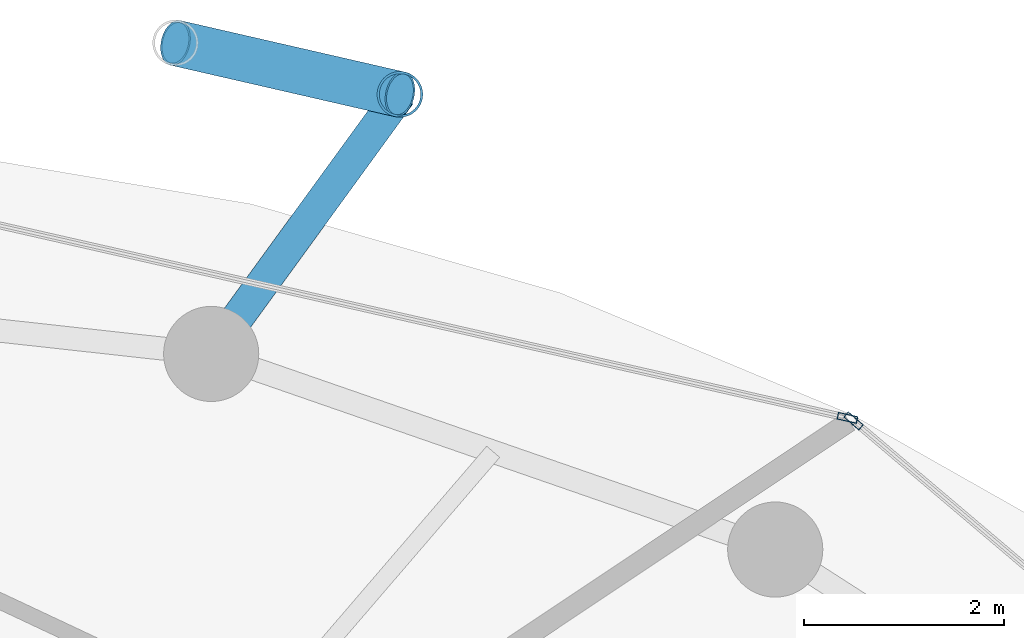
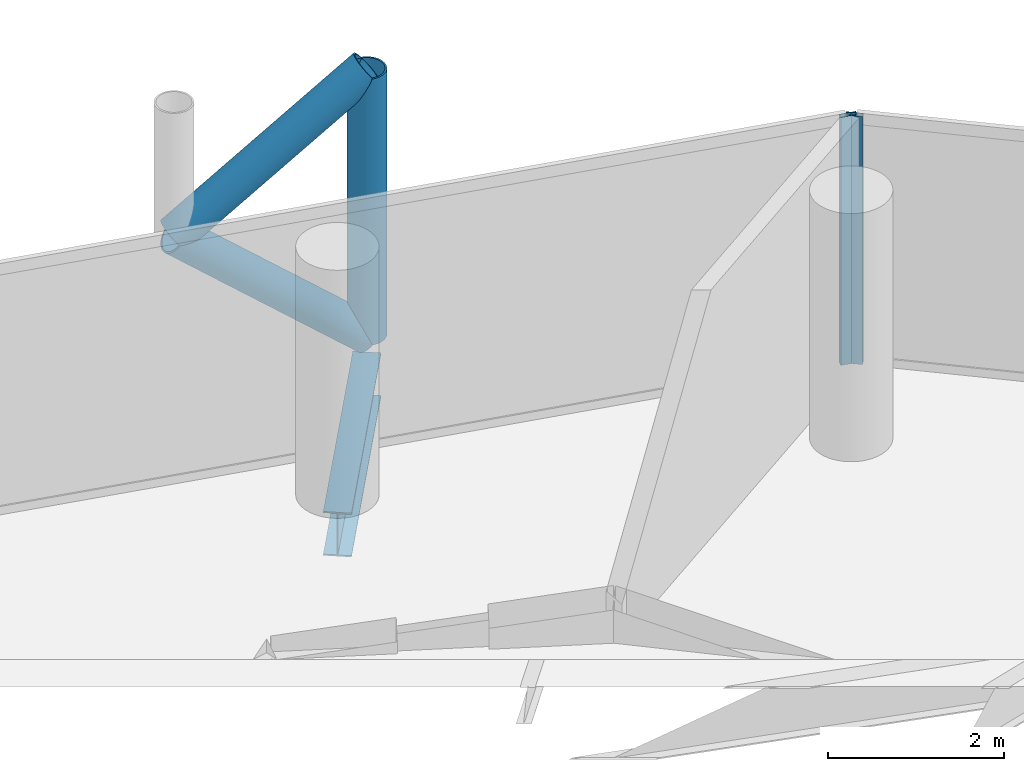
# One storey, part 20 of 26: 5 members, 1 beam, 2 elements without a shape of their own.
"""IFC4 building model written with IfcOpenShell, lengths in metres."""

import ifcopenshell
import ifcopenshell.guid

model = None  # the IFC model being written
_history = None  # IfcOwnerHistory: only IFC2X3 demands one
_inside = {}  # id of a spatial element -> (the spatial element, [elements in it])
_under = {}  # id of a project, library or spatial element -> (it, [spatial elements below it])
_declared = {}  # id of a project -> (the project, [libraries it declares])
_typed = {}  # id of a type object -> (the type object, [elements of that type])
_made_of = {}  # id of a material, layer set ... -> (it, [elements and type objects made of it])


def new_model(schema):
    """Start an empty IFC model of exactly this schema.

    Asked for "IFC4X3", IfcOpenShell would pick the latest addendum, in which some entities
    have other attributes; the version numbers below select the first issue.
    IFC2X3 requires an IfcOwnerHistory on every rooted entity: one is made here for all.
    """
    global model, _history
    if schema == "IFC4X3":
        model = ifcopenshell.file(schema_version=(4, 3, 0, 0))
    else:
        model = ifcopenshell.file(schema=schema)
    _inside.clear()
    _under.clear()
    _declared.clear()
    _typed.clear()
    _made_of.clear()
    _history = None
    if model.schema == "IFC2X3":
        org = make("IfcOrganization", Name="unknown")
        user = make(
            "IfcPersonAndOrganization",
            ThePerson=make("IfcPerson", FamilyName="unknown"),
            TheOrganization=org,
        )
        app = make(
            "IfcApplication",
            ApplicationDeveloper=org,
            Version="unknown",
            ApplicationFullName="unknown",
            ApplicationIdentifier="unknown",
        )
        _history = make(
            "IfcOwnerHistory",
            OwningUser=user,
            OwningApplication=app,
            ChangeAction="ADDED",
            CreationDate=0,
        )
    return model


def make(cls, **values):
    """One entity of the class cls with the attributes given. An attribute that is None is left unset."""
    return model.create_entity(
        cls, **{name: value for name, value in values.items() if value is not None}
    )


def rooted(cls, **values):
    """An entity with a GlobalId (a new one), such as an element, a storey or a relation."""
    return make(cls, GlobalId=ifcopenshell.guid.new(), OwnerHistory=_history, **values)


def si_unit(unit_type, name, prefix=None):
    """IfcSIUnit, for example si_unit("LENGTHUNIT", "METRE", prefix="MILLI")."""
    return make("IfcSIUnit", UnitType=unit_type, Prefix=prefix, Name=name)


def assignment(units):
    """IfcUnitAssignment: the units of a project."""
    return None if units is None else make("IfcUnitAssignment", Units=units)


def point(xyz):
    """IfcCartesianPoint."""
    return None if xyz is None else make("IfcCartesianPoint", Coordinates=xyz)


def direction(xyz):
    """IfcDirection."""
    return None if xyz is None else make("IfcDirection", DirectionRatios=xyz)


def frame(location, z_axis=None, x_axis=None):
    """IfcAxis2Placement3D, a coordinate frame: its origin and axes. An axis left out is left unset."""
    return make(
        "IfcAxis2Placement3D",
        Location=point(location),
        Axis=direction(z_axis),
        RefDirection=direction(x_axis),
    )


def frame_2d(location, x_axis=None):
    """IfcAxis2Placement2D, a coordinate frame in the plane: its origin and x axis."""
    return make(
        "IfcAxis2Placement2D", Location=point(location), RefDirection=direction(x_axis)
    )


def origin():
    """The frame at (0, 0, 0) with its axes left unset."""
    return frame((0.0, 0.0, 0.0))


def origin_2d():
    """The frame at (0, 0) in the plane with its x axis left unset."""
    return frame_2d((0.0, 0.0))


def place(relative_to, where):
    """IfcLocalPlacement: puts the frame where relative to a parent placement (None: the world)."""
    return make(
        "IfcLocalPlacement", PlacementRelTo=relative_to, RelativePlacement=where
    )


def context(
    kind, dimensions, precision=None, world=None, true_north=None, identifier=None
):
    """IfcGeometricRepresentationContext, for example the 3D "Model" context."""
    return make(
        "IfcGeometricRepresentationContext",
        ContextIdentifier=identifier,
        ContextType=kind,
        CoordinateSpaceDimension=dimensions,
        Precision=precision,
        WorldCoordinateSystem=world,
        TrueNorth=true_north,
    )


def subcontext(parent, identifier, kind, view, scale=None):
    """IfcGeometricRepresentationSubContext, for example "Body" below "Model"."""
    return make(
        "IfcGeometricRepresentationSubContext",
        ContextIdentifier=identifier,
        ContextType=kind,
        ParentContext=parent,
        TargetScale=scale,
        TargetView=view,
    )


def project(units=None, contexts=None):
    """IfcProject with its units and contexts."""
    return rooted(
        "IfcProject",
        Name="project",
        RepresentationContexts=contexts,
        UnitsInContext=assignment(units),
    )


def spatial(cls, under=None, at=None, **own):
    """A site, building, storey or space (cls), placed at a placement, below another one or the project."""
    s = rooted(cls, ObjectPlacement=at, **own)
    if under is not None:
        _under.setdefault(under.id(), (under, []))[1].append(s)
    return s


def profile(cls, at=None, kind="AREA", **sizes):
    """A parametric profile (cls). Its sizes go by their IFC names, for example OverallWidth=200.0."""
    return make(cls, ProfileType=kind, Position=at, **sizes)


def hollow_rectangle(**sizes):
    """IfcRectangleHollowProfileDef."""
    return profile("IfcRectangleHollowProfileDef", **sizes)


def hollow_circle(**sizes):
    """IfcCircleHollowProfileDef."""
    return profile("IfcCircleHollowProfileDef", **sizes)


def i_section(**sizes):
    """IfcIShapeProfileDef."""
    return profile("IfcIShapeProfileDef", **sizes)


def extrude(swept, where, along, depth):
    """IfcExtrudedAreaSolid: the profile swept, set in the frame where, extruded along a direction by depth."""
    return make(
        "IfcExtrudedAreaSolid",
        SweptArea=swept,
        Position=where,
        ExtrudedDirection=direction(along),
        Depth=depth,
    )


def shape(context_of_items, identifier, shape_type, items):
    """IfcShapeRepresentation: the items that make up one representation, for example the "Body"."""
    return make(
        "IfcShapeRepresentation",
        ContextOfItems=context_of_items,
        RepresentationIdentifier=identifier,
        RepresentationType=shape_type,
        Items=items,
    )


def material(Name=None, Category=None):
    """IfcMaterial."""
    return make("IfcMaterial", Name=Name, Category=Category)


def layer(
    of_material, thickness, ventilated=None, Name=None, Category=None, Priority=None
):
    """IfcMaterialLayer: one layer of a wall or slab, of a material (None: an air gap)."""
    return make(
        "IfcMaterialLayer",
        Material=of_material,
        LayerThickness=thickness,
        IsVentilated=ventilated,
        Name=Name,
        Category=Category,
        Priority=Priority,
    )


def layer_set(layers, Name=None):
    """IfcMaterialLayerSet."""
    return make("IfcMaterialLayerSet", MaterialLayers=layers, LayerSetName=Name)


def material_profile(
    of_material, cross_section, Name=None, Category=None, Priority=None
):
    """IfcMaterialProfile: a cross section and its material."""
    return make(
        "IfcMaterialProfile",
        Name=Name,
        Material=of_material,
        Profile=cross_section,
        Priority=Priority,
        Category=Category,
    )


def profile_set(profiles, Name=None, composite=None):
    """IfcMaterialProfileSet."""
    return make(
        "IfcMaterialProfileSet",
        Name=Name,
        MaterialProfiles=profiles,
        CompositeProfile=composite,
    )


def made_of(thing, what):
    """Note that an element or type object is made of a material, layer set ...; save() writes the relation."""
    if what is not None:
        _made_of.setdefault(what.id(), (what, []))[1].append(thing)
    return thing


def type_object(cls, material=None, **own):
    """A type object (cls), such as IfcWallType, which elements share."""
    return made_of(rooted(cls, **own), material)


def element(
    cls,
    number,
    at=None,
    inside=None,
    cuts=None,
    type_object=None,
    material=None,
    context=None,
    identifier="Body",
    shape_type=None,
    held_by="IfcProductDefinitionShape",
    body=None,
    shapes=None,
    **own,
):
    """One element of the class cls, such as IfcWall. Its Tag is "e" and its number.

    at: its placement. inside: the storey or other place that contains it. cuts: it is an
    opening in that element (IfcRelVoidsElement). A single representation is given by context,
    identifier, shape_type and body (its items); several are given by shapes. held_by: the class
    of the entity that holds the representations. save() writes the other relations.
    """
    e = rooted(cls, Tag="e%d" % number, ObjectPlacement=at, **own)
    if body is not None:
        shapes = [shape(context, identifier, shape_type, body)]
    if shapes is not None:
        e.Representation = make(held_by, Representations=shapes)
    if inside is not None:
        _inside.setdefault(inside.id(), (inside, []))[1].append(e)
    if cuts is not None:
        rooted(
            "IfcRelVoidsElement", RelatingBuildingElement=cuts, RelatedOpeningElement=e
        )
    if type_object is not None:
        _typed.setdefault(type_object.id(), (type_object, []))[1].append(e)
    return made_of(e, material)


def aggregate(whole, parts):
    """IfcRelAggregates: a whole, such as a stair, and the parts it consists of."""
    return rooted("IfcRelAggregates", RelatingObject=whole, RelatedObjects=parts)


def save(model, path):
    """Write the relations noted so far, then the file.

    IfcRelAggregates (storeys below a building ...), IfcRelContainedInSpatialStructure (elements
    in a storey), IfcRelDefinesByType, IfcRelAssociatesMaterial and IfcRelDeclares: one each for
    every whole, place, type object, material and project.
    """
    for whole, parts in _under.values():
        aggregate(whole, parts)
    for where, things in _inside.values():
        rooted(
            "IfcRelContainedInSpatialStructure",
            RelatedElements=things,
            RelatingStructure=where,
        )
    for kind, things in _typed.values():
        rooted("IfcRelDefinesByType", RelatedObjects=things, RelatingType=kind)
    for what, things in _made_of.values():
        rooted("IfcRelAssociatesMaterial", RelatedObjects=things, RelatingMaterial=what)
    for by, libraries in _declared.values():
        rooted("IfcRelDeclares", RelatingContext=by, RelatedDefinitions=libraries)
    model.write(path)


model = new_model("IFC4")

# Units and contexts
model_context = context("Model", 3, precision=1e-05, world=origin(), true_north=direction((0.0, 1.0)))
body_context = subcontext(model_context, "Body", "Model", "MODEL_VIEW")
ifc_project = project(units=[si_unit("LENGTHUNIT", "METRE"), si_unit("AREAUNIT", "SQUARE_METRE"), si_unit("VOLUMEUNIT", "CUBIC_METRE"), si_unit("PLANEANGLEUNIT", "RADIAN"), si_unit("MASSUNIT", "GRAM", prefix="KILO")], contexts=[model_context])

# Site, building, storey
site_placement = place(None, origin())
site = spatial("IfcSite", under=ifc_project, at=site_placement, CompositionType="ELEMENT")
building_placement = place(site_placement, origin())
building = spatial("IfcBuilding", under=site, at=building_placement, Name="Nuhasar Tower", CompositionType="ELEMENT")
storey_placement = place(building_placement, frame((0.0, 0.0, 136.75)))
storey = spatial("IfcBuildingStorey", under=building, at=storey_placement, Name="L32", CompositionType="ELEMENT", Elevation=136.75)

# Beam
ifc_material_1 = material(Name="Steel S355", Category="steel")
ifc_material_profile_1 = material_profile(ifc_material_1, i_section(OverallWidth=0.323974609375, OverallDepth=0.611083984375, WebThickness=0.0126953125, FlangeThickness=0.01904296875, at=origin_2d()), Name="W24X104")
ifc_profile_set_1 = profile_set([ifc_material_profile_1], Name="Steel S355")
beam_type = type_object("IfcBeamType", Name="BM-TIE-W24X104", PredefinedType="BEAM", material=ifc_profile_set_1)
beam_placement = place(storey_placement, frame((45.04296875, 45.68408203125, -0.554931640625), z_axis=(0.588185286445, 0.808726201387, 0.0), x_axis=(-0.808726201387, 0.588185286445, 0.0)))
element("IfcBeam", 1, at=beam_placement, inside=storey, type_object=beam_type, Name="L32 Exoskeleton Node Tie Beam 03", PredefinedType="BEAM", context=body_context, shape_type="SweptSolid", body=[
    extrude(i_section(OverallWidth=0.323974609375, OverallDepth=0.611083984375, WebThickness=0.0126953125, FlangeThickness=0.01904296875, at=origin_2d()), origin(), (0.0, 0.0, 1.0), 3.204833984375),
])

# Curtain wall, member
ifc_material_2 = material(Name="Aluminium 6063-T6", Category="aluminium")
ifc_layer = layer(ifc_material_2, 0.199951171875)
ifc_layer_set = layer_set([ifc_layer], Name="Aluminium 6063-T6")
curtain_wall_type = type_object("IfcCurtainWallType", Name="CW-Z2-HTL", PredefinedType="NOTDEFINED", material=ifc_layer_set)
curtain_wall_1_placement = place(storey_placement, origin())
curtain_wall_1 = element("IfcCurtainWall", 2, at=curtain_wall_1_placement, inside=storey, type_object=curtain_wall_type, Name="L32 Unitised Curtain Wall 02", PredefinedType="NOTDEFINED")
ifc_material_profile_2 = material_profile(ifc_material_2, hollow_rectangle(XDim=0.070068359375, YDim=0.199951171875, WallThickness=0.0048828125, at=origin_2d()), Name="CWM-3")
ifc_profile_set_2 = profile_set([ifc_material_profile_2], Name="Aluminium 6063-T6")
member_type_1 = type_object("IfcMemberType", Name="CW-MUL-S3", PredefinedType="MULLION", material=ifc_profile_set_2)
member_1_placement = place(storey_placement, frame((51.456787109375, 45.015380859375, 0.0), z_axis=(0.0, 0.0, 1.0), x_axis=(-0.646374438324, -0.763020370292, 0.0)))
member_1 = element("IfcMember", 3, at=member_1_placement, type_object=member_type_1, Name="CW-Z2 mullion 2", PredefinedType="MULLION", context=body_context, shape_type="SweptSolid", body=[
    extrude(hollow_rectangle(XDim=0.070068359375, YDim=0.199951171875, WallThickness=0.0048828125, at=origin_2d()), origin(), (0.0, 0.0, 1.0), 3.449951171875),
])
aggregate(curtain_wall_1, [member_1])

curtain_wall_2_placement = place(storey_placement, origin())
curtain_wall_2 = element("IfcCurtainWall", 4, at=curtain_wall_2_placement, inside=storey, type_object=curtain_wall_type, Name="L32 Unitised Curtain Wall 03", PredefinedType="NOTDEFINED")
member_2_placement = place(storey_placement, frame((51.395751953125, 45.045654296875, 0.0), z_axis=(0.0, 0.0, 1.0), x_axis=(-0.22139729566, -0.975183694221, 0.0)))
member_2 = element("IfcMember", 5, at=member_2_placement, type_object=member_type_1, Name="CW-Z2 mullion 1", PredefinedType="MULLION", context=body_context, shape_type="SweptSolid", body=[
    extrude(hollow_rectangle(XDim=0.070068359375, YDim=0.199951171875, WallThickness=0.0048828125, at=origin_2d()), origin(), (0.0, 0.0, 1.0), 3.449951171875),
])
aggregate(curtain_wall_2, [member_2])

# Members
ifc_material_3 = material(Name="Steel S460", Category="steel")
ifc_material_profile_3 = material_profile(ifc_material_3, hollow_circle(Radius=0.228515625, WallThickness=0.022216796875, at=origin_2d()), Name="HSS457X22.2")
ifc_profile_set_3 = profile_set([ifc_material_profile_3], Name="Steel S460")
member_type_2 = type_object("IfcMemberType", Name="EXO-BRONZE-457", PredefinedType="BRACE", material=ifc_profile_set_3)
member_3_placement = place(storey_placement, frame((46.927978515625, 48.27587890625, 0.0), z_axis=(0.0, 0.0, 1.0), x_axis=(1.0, 0.0, 0.0)))
element("IfcMember", 6, at=member_3_placement, inside=storey, type_object=member_type_2, Name="L32 Exoskeleton Chord Column EC-03A", PredefinedType="BRACE", context=body_context, shape_type="SweptSolid", body=[
    extrude(hollow_circle(Radius=0.228515625, WallThickness=0.022216796875, at=origin_2d()), origin(), (0.0, 0.0, 1.0), 3.699951171875),
])
member_4_placement = place(storey_placement, frame((46.927978515625, 48.27587890625, 0.0), z_axis=(-0.759499549084, 0.174181209885, 0.626754609927), x_axis=(-0.223533724104, -0.974696195842, 0.0)))
element("IfcMember", 7, at=member_4_placement, inside=storey, type_object=member_type_2, Name="L32 Bronze Diagrid Brace W1-03", PredefinedType="BRACE", context=body_context, shape_type="SweptSolid", body=[
    extrude(hollow_circle(Radius=0.228515625, WallThickness=0.022216796875, at=origin_2d()), origin(), (0.0, 0.0, 1.0), 2.951904296875),
])
member_5_placement = place(storey_placement, frame((44.68603515625, 48.7900390625, 1.85009765625), z_axis=(0.759538919781, -0.174190239035, 0.626704388019), x_axis=(0.223533724104, 0.974696195842, 0.0)))
element("IfcMember", 8, at=member_5_placement, inside=storey, type_object=member_type_2, Name="L32 Bronze Diagrid Brace W2-03", PredefinedType="BRACE", context=body_context, shape_type="SweptSolid", body=[
    extrude(hollow_circle(Radius=0.228515625, WallThickness=0.022216796875, at=origin_2d()), origin(), (0.0, 0.0, 1.0), 2.95166015625),
])

save(model, "model.ifc")
